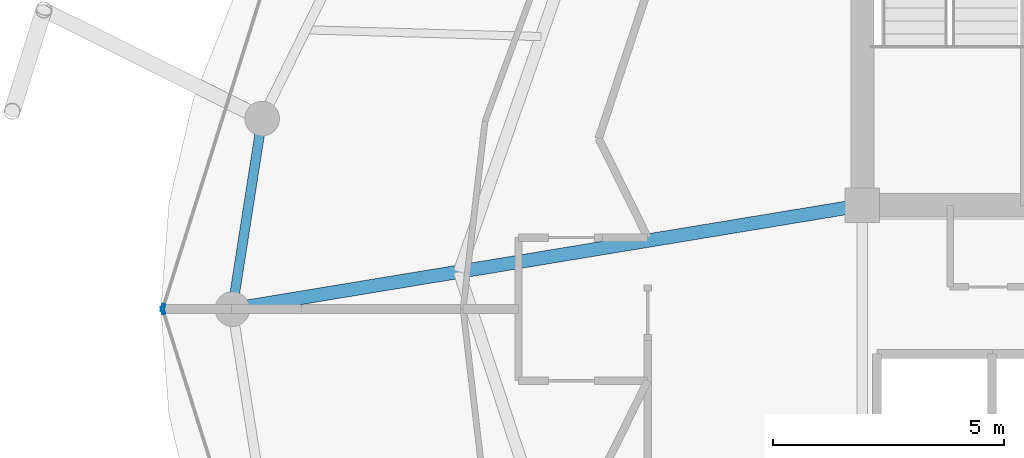
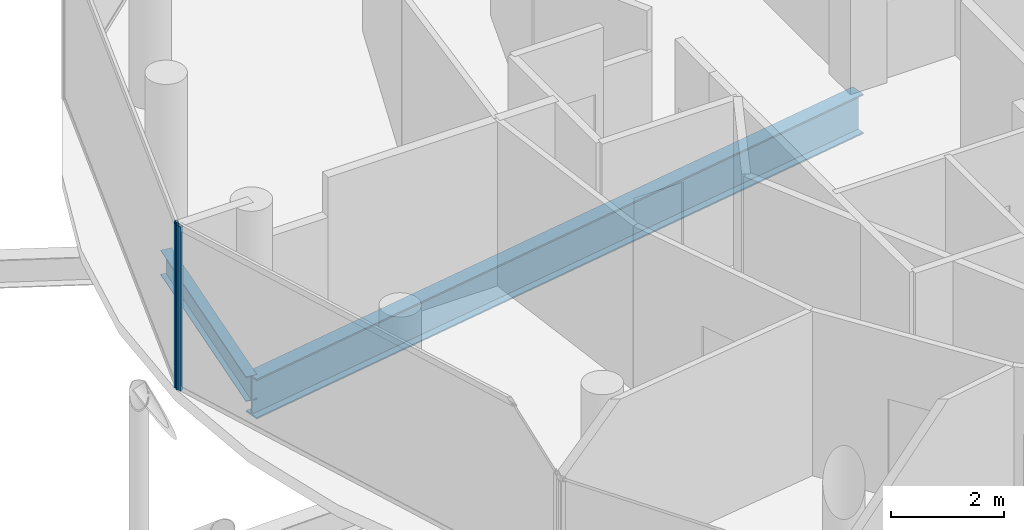
# One storey, part 6 of 24: 2 beams, 2 members, 2 elements without a shape of their own.
"""IFC4 building model written with IfcOpenShell, lengths in metres."""

from ifc_helpers import new_model, si_unit, direction, frame, origin, origin_2d, place, context, subcontext, project, spatial, hollow_rectangle, i_section, extrude, material, layer, layer_set, material_profile, profile_set, type_object, element, aggregate, save


model = new_model("IFC4")

# Units and contexts
model_context = context("Model", 3, precision=1e-05, world=origin(), true_north=direction((0.0, 1.0)))
body_context = subcontext(model_context, "Body", "Model", "MODEL_VIEW")
ifc_project = project(units=[si_unit("LENGTHUNIT", "METRE"), si_unit("AREAUNIT", "SQUARE_METRE"), si_unit("VOLUMEUNIT", "CUBIC_METRE"), si_unit("PLANEANGLEUNIT", "RADIAN"), si_unit("MASSUNIT", "GRAM", prefix="KILO")], contexts=[model_context])

# Site, building, storey
site_placement = place(None, origin())
site = spatial("IfcSite", under=ifc_project, at=site_placement, CompositionType="ELEMENT")
building_placement = place(site_placement, origin())
building = spatial("IfcBuilding", under=site, at=building_placement, Name="Nuhasar Tower", CompositionType="ELEMENT")
storey_placement = place(building_placement, frame((0.0, 0.0, 289.800048828125)))
storey = spatial("IfcBuildingStorey", under=building, at=storey_placement, Name="L72", CompositionType="ELEMENT", Elevation=289.800048828125)

# Beams
ifc_material_1 = material(Name="Steel S355", Category="steel")
ifc_material_profile_1 = material_profile(ifc_material_1, i_section(OverallWidth=0.2919921875, OverallDepth=0.85888671875, WebThickness=0.01708984375, FlangeThickness=0.031005859375, at=origin_2d()), Name="W33X169")
ifc_profile_set_1 = profile_set([ifc_material_profile_1], Name="Steel S355")
beam_type_1 = type_object("IfcBeamType", Name="BM-POD-W33X169", PredefinedType="BEAM", material=ifc_profile_set_1)
beam_1_placement = place(storey_placement, frame((33.699951171875, 29.050048828125, -0.68896484375), z_axis=(-0.986685215874, -0.162641583786, 0.0), x_axis=(0.162641583786, -0.986685215874, 0.0)))
element("IfcBeam", 1, at=beam_1_placement, inside=storey, type_object=beam_type_1, Name="L72 Radial Floor Girder 08", PredefinedType="BEAM", context=body_context, shape_type="SweptSolid", body=[
    extrude(i_section(OverallWidth=0.2919921875, OverallDepth=0.85888671875, WebThickness=0.01708984375, FlangeThickness=0.031005859375, at=origin_2d()), origin(), (0.0, 0.0, 1.0), 13.833984375),
])
ifc_material_profile_2 = material_profile(ifc_material_1, i_section(OverallWidth=0.2099609375, OverallDepth=0.537109375, WebThickness=0.010986328125, FlangeThickness=0.017333984375, at=origin_2d()), Name="W21X68")
ifc_profile_set_2 = profile_set([ifc_material_profile_2], Name="Steel S355")
beam_type_2 = type_object("IfcBeamType", Name="BM-RING-W21X68", PredefinedType="SPANDREL", material=ifc_profile_set_2)
beam_2_placement = place(storey_placement, frame((20.696044921875, 30.927978515625, -0.528076171875), z_axis=(-0.154612165232, -0.987975241776, 0.0), x_axis=(0.987975241776, -0.154612165232, 0.0)))
element("IfcBeam", 2, at=beam_2_placement, inside=storey, type_object=beam_type_2, Name="L72 Perimeter Ring Spandrel 12", PredefinedType="SPANDREL", context=body_context, shape_type="SweptSolid", body=[
    extrude(i_section(OverallWidth=0.2099609375, OverallDepth=0.537109375, WebThickness=0.010986328125, FlangeThickness=0.017333984375, at=origin_2d()), origin(), (0.0, 0.0, 1.0), 4.17822265625),
])

# Curtain wall, member
ifc_material_2 = material(Name="Aluminium 6063-T6", Category="aluminium")
ifc_layer = layer(ifc_material_2, 0.18994140625)
ifc_layer_set = layer_set([ifc_layer], Name="Aluminium 6063-T6")
curtain_wall_type = type_object("IfcCurtainWallType", Name="CW-Z4-PEN", PredefinedType="NOTDEFINED", material=ifc_layer_set)
curtain_wall_1_placement = place(storey_placement, origin())
curtain_wall_1 = element("IfcCurtainWall", 3, at=curtain_wall_1_placement, inside=storey, type_object=curtain_wall_type, Name="L72 Unitised Curtain Wall 06", PredefinedType="NOTDEFINED")
ifc_material_profile_3 = material_profile(ifc_material_2, hollow_rectangle(XDim=0.06005859375, YDim=0.1650390625, WallThickness=0.0048828125, at=origin_2d()), Name="CWM-5")
ifc_profile_set_3 = profile_set([ifc_material_profile_3], Name="Aluminium 6063-T6")
member_type = type_object("IfcMemberType", Name="CW-MUL-S5", PredefinedType="MULLION", material=ifc_profile_set_3)
member_1_placement = place(storey_placement, frame((18.549072265625, 26.82861328125, 0.0), z_axis=(0.0, 0.0, 1.0), x_axis=(0.954078526601, -0.299556614146, 0.0)))
member_1 = element("IfcMember", 4, at=member_1_placement, type_object=member_type, Name="CW-Z4 mullion 2", PredefinedType="MULLION", context=body_context, shape_type="SweptSolid", body=[
    extrude(hollow_rectangle(XDim=0.06005859375, YDim=0.1650390625, WallThickness=0.0048828125, at=origin_2d()), origin(), (0.0, 0.0, 1.0), 3.5400390625),
])
aggregate(curtain_wall_1, [member_1])

curtain_wall_2_placement = place(storey_placement, origin())
curtain_wall_2 = element("IfcCurtainWall", 5, at=curtain_wall_2_placement, inside=storey, type_object=curtain_wall_type, Name="L72 Unitised Curtain Wall 07", PredefinedType="NOTDEFINED")
member_2_placement = place(storey_placement, frame((18.549072265625, 26.771484375, 0.0), z_axis=(0.0, 0.0, 1.0), x_axis=(0.954078526601, 0.299556614146, 0.0)))
member_2 = element("IfcMember", 6, at=member_2_placement, type_object=member_type, Name="CW-Z4 mullion 1", PredefinedType="MULLION", context=body_context, shape_type="SweptSolid", body=[
    extrude(hollow_rectangle(XDim=0.06005859375, YDim=0.1650390625, WallThickness=0.0048828125, at=origin_2d()), origin(), (0.0, 0.0, 1.0), 3.5400390625),
])
aggregate(curtain_wall_2, [member_2])

save(model, "model.ifc")
